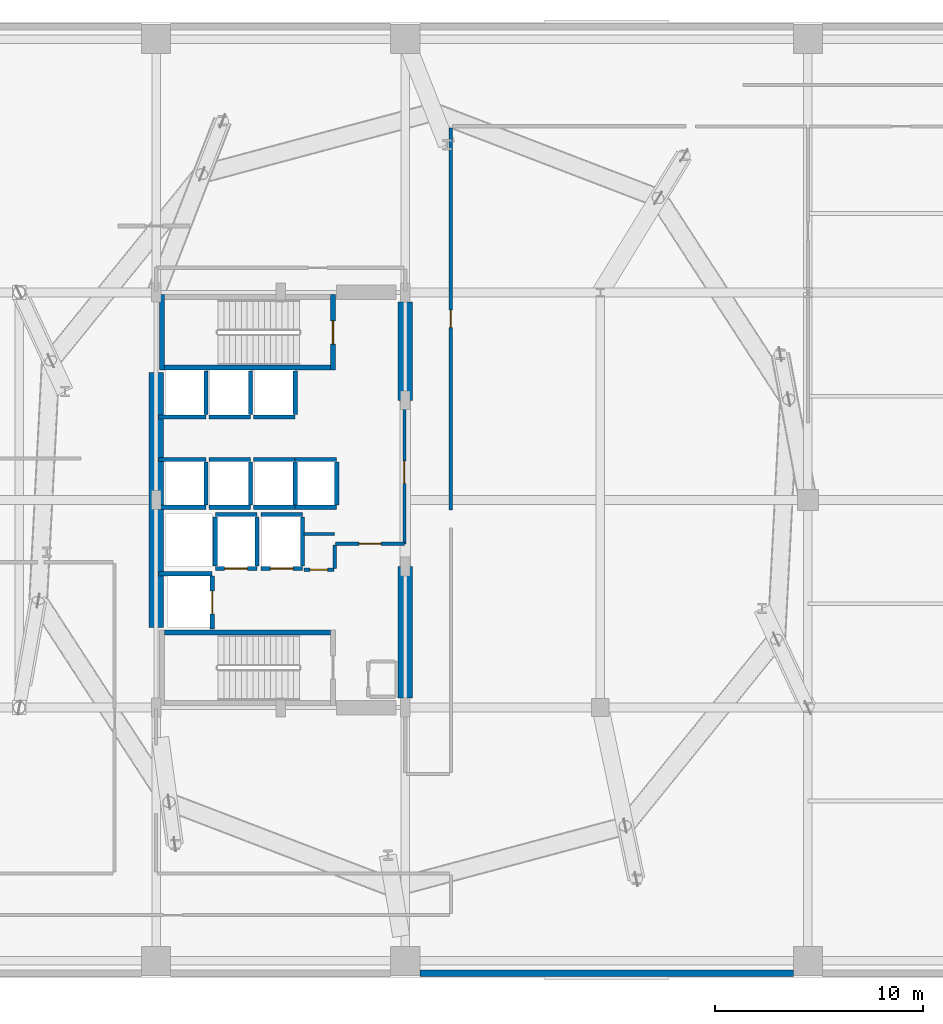
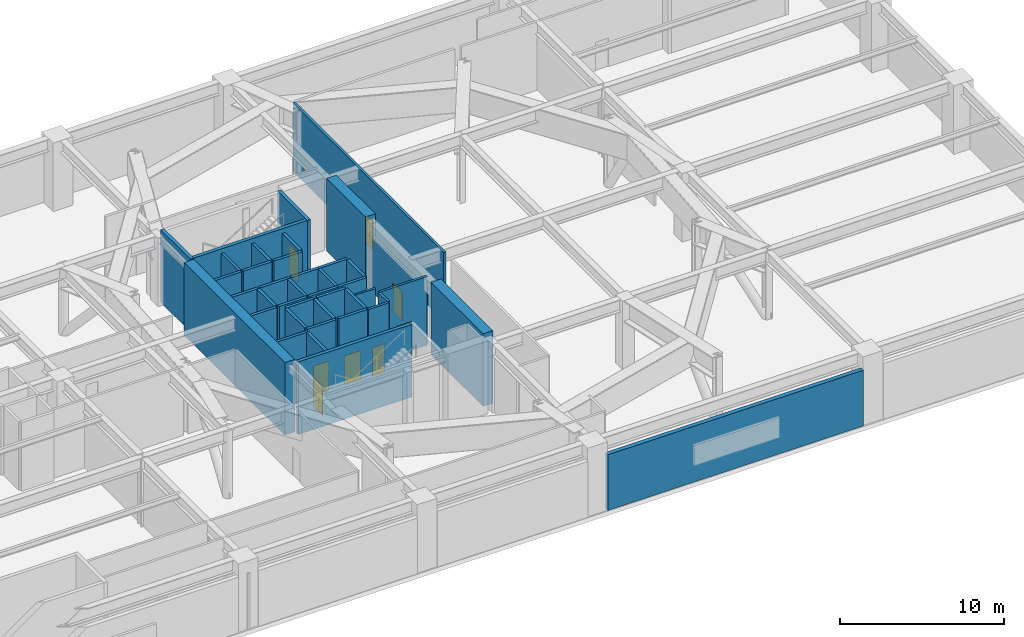
# One storey, part 7 of 12: 41 walls, 8 doors, 8 openings.
"""IFC4 building model written with IfcOpenShell, lengths in metres."""

from ifc_helpers import new_model, si_unit, direction, frame, frame_2d, origin, place, context, subcontext, project, spatial, rectangle, extrude, material, layer, layer_set, type_object, element, fill, save


model = new_model("IFC4")

# Units and contexts
model_context = context("Model", 3, precision=1e-05, world=origin(), true_north=direction((0.0, 1.0)))
body_context = subcontext(model_context, "Body", "Model", "MODEL_VIEW")
ifc_project = project(units=[si_unit("LENGTHUNIT", "METRE"), si_unit("AREAUNIT", "SQUARE_METRE"), si_unit("VOLUMEUNIT", "CUBIC_METRE"), si_unit("PLANEANGLEUNIT", "RADIAN"), si_unit("MASSUNIT", "GRAM", prefix="KILO")], contexts=[model_context])

# Site, building, storey
site_placement = place(None, origin())
site = spatial("IfcSite", under=ifc_project, at=site_placement, CompositionType="ELEMENT")
building_placement = place(site_placement, origin())
building = spatial("IfcBuilding", under=site, at=building_placement, Name="Soratama Intermodal Tower", CompositionType="ELEMENT")
storey_placement = place(building_placement, frame((0.0, 0.0, 25.199951171875)))
storey = spatial("IfcBuildingStorey", under=building, at=storey_placement, Name="L05", CompositionType="ELEMENT", Elevation=25.199951171875)

# Wall
ifc_material_1 = material(Name="Concrete f'c 42 MPa", Category="concrete")
ifc_layer_1 = layer(ifc_material_1, 0.300048828125)
ifc_layer_set_1 = layer_set([ifc_layer_1], Name="Concrete f'c 42 MPa")
wall_type_1 = type_object("IfcWallType", Name="EW-STONE-300", PredefinedType="SOLIDWALL", material=ifc_layer_set_1)
wall_1_placement = place(storey_placement, frame((63.300048828125, 2.199951171875, 0.0), z_axis=(0.0, 0.0, 1.0), x_axis=(-1.0, 0.0, 0.0)))
element("IfcWall", 1, at=wall_1_placement, inside=storey, type_object=wall_type_1, Name="L05 Transfer Plant Wall S4", PredefinedType="SOLIDWALL", context=body_context, shape_type="SweptSolid", body=[
    extrude(rectangle(XDim=18.0, YDim=0.300048828125, at=frame_2d((9.0, 0.0))), origin(), (0.0, 0.0, 1.0), 4.156005859375),
])

# Wall, opening, door
ifc_material_2 = material(Name="Fire-rated gypsum stud partition", Category="concrete")
ifc_layer_2 = layer(ifc_material_2, 0.14990234375)
ifc_layer_set_2 = layer_set([ifc_layer_2], Name="Fire-rated gypsum stud partition")
wall_type_2 = type_object("IfcWallType", Name="IW-PART-R150", PredefinedType="PARTITIONING", material=ifc_layer_set_2)
wall_2_placement = place(storey_placement, frame((44.56005859375, 29.800048828125, 0.0), z_axis=(0.0, 0.0, 1.0), x_axis=(0.0, -1.0, 0.0)))
wall_2 = element("IfcWall", 2, at=wall_2_placement, inside=storey, type_object=wall_type_2, Name="L05 Partition W-L05-TP010", PredefinedType="PARTITIONING", context=body_context, shape_type="SweptSolid", body=[
    extrude(rectangle(XDim=6.91015625, YDim=0.14990234375, at=frame_2d((3.455078125, 0.0))), origin(), (0.0, 0.0, 1.0), 4.14013671875),
])
opening_1_placement = place(wall_2_placement, frame((2.9150390625, 0.0, 0.0)))
opening_1 = element("IfcOpeningElement", 3, at=opening_1_placement, cuts=wall_2, Name="Opening ID-1", PredefinedType="OPENING", context=body_context, shape_type="SweptSolid", body=[
    extrude(rectangle(XDim=1.080078125, YDim=2.14990234375, at=frame_2d((0.5400390625, 1.074951171875))), frame((0.0, 0.0849609375, 0.0), z_axis=(0.0, -1.0, 0.0), x_axis=(1.0, 0.0, 0.0)), (0.0, 0.0, 1.0), 0.169921875),
])
ifc_material_3 = material(Name="Solid hardwood acoustic door", Category="wood")
door_type_1 = type_object("IfcDoorType", Name="DR-LOB-FD60", OperationType="NOTDEFINED", PredefinedType="DOOR", material=ifc_material_3)
door_1_placement = place(opening_1_placement, origin())
door_1 = element("IfcDoor", 4, at=door_1_placement, inside=storey, type_object=door_type_1, Name="L05 Door D-L05-TP006", OperationType="SINGLE_SWING_LEFT", OverallHeight=2.14990234375, OverallWidth=1.080078125, PredefinedType="DOOR", context=body_context, shape_type="SweptSolid", body=[
    extrude(rectangle(XDim=1.080078125, YDim=2.14990234375, at=frame_2d((0.5400390625, 1.074951171875))), frame((0.0, 0.02490234375, 0.0), z_axis=(0.0, -1.0, 0.0), x_axis=(1.0, 0.0, 0.0)), (0.0, 0.0, 1.0), 0.050048828125),
])
fill(opening_1, door_1)

# Wall
wall_3_placement = place(storey_placement, frame((41.199951171875, 23.360107421875, 0.0), z_axis=(0.0, 0.0, 1.0), x_axis=(-1.0, 0.0, 0.0)))
element("IfcWall", 5, at=wall_3_placement, inside=storey, type_object=wall_type_2, Name="L05 Partition W-L05-TP035", PredefinedType="PARTITIONING", context=body_context, shape_type="SweptSolid", body=[
    extrude(rectangle(XDim=1.47998046875, YDim=0.14990234375, at=frame_2d((0.739990234375, 0.0))), origin(), (0.0, 0.0, 1.0), 5.10009765625),
])

# Wall, opening, door
ifc_material_4 = material(Name="Fire-rated gypsum stud partition", Category="concrete")
ifc_layer_3 = layer(ifc_material_4, 0.169921875)
ifc_layer_set_3 = layer_set([ifc_layer_3], Name="Fire-rated gypsum stud partition")
wall_type_3 = type_object("IfcWallType", Name="IW-PART-R170", PredefinedType="PARTITIONING", material=ifc_layer_set_3)
wall_4_placement = place(storey_placement, frame((41.239990234375, 22.889892578125, 0.0), z_axis=(0.0, 0.0, 1.0), x_axis=(1.0, 0.0, 0.0)))
wall_4 = element("IfcWall", 6, at=wall_4_placement, inside=storey, type_object=wall_type_3, Name="L05 Partition W-L05-TP011", PredefinedType="PARTITIONING", context=body_context, shape_type="SweptSolid", body=[
    extrude(rectangle(XDim=3.320068359375, YDim=0.169921875, at=frame_2d((1.66015625, 0.0))), origin(), (0.0, 0.0, 1.0), 5.10009765625),
])
opening_2_placement = place(wall_4_placement, frame((1.1201171875, 0.0, 0.0)))
opening_2 = element("IfcOpeningElement", 7, at=opening_2_placement, cuts=wall_4, Name="Opening ID-0", PredefinedType="OPENING", context=body_context, shape_type="SweptSolid", body=[
    extrude(rectangle(XDim=1.080078125, YDim=2.14990234375, at=frame_2d((0.5400390625, 1.074951171875))), frame((0.0, 0.094970703125, 0.0), z_axis=(0.0, -1.0, 0.0), x_axis=(1.0, 0.0, 0.0)), (0.0, 0.0, 1.0), 0.18994140625),
])
ifc_material_5 = material(Name="Solid hardwood acoustic door", Category="wood")
door_type_2 = type_object("IfcDoorType", Name="DR-LOB-FD90", OperationType="NOTDEFINED", PredefinedType="DOOR", material=ifc_material_5)
door_2_placement = place(opening_2_placement, origin())
door_2 = element("IfcDoor", 8, at=door_2_placement, inside=storey, type_object=door_type_2, Name="L05 Door D-L05-TP007", OperationType="SINGLE_SWING_RIGHT", OverallHeight=2.14990234375, OverallWidth=1.080078125, PredefinedType="DOOR", context=body_context, shape_type="SweptSolid", body=[
    extrude(rectangle(XDim=1.080078125, YDim=2.14990234375, at=frame_2d((0.5400390625, 1.074951171875))), frame((0.0, 0.02490234375, 0.0), z_axis=(0.0, -1.0, 0.0), x_axis=(1.0, 0.0, 0.0)), (0.0, 0.0, 1.0), 0.050048828125),
])
fill(opening_2, door_2)

wall_5_placement = place(storey_placement, frame((39.719970703125, 21.639892578125, 0.0), z_axis=(0.0, 0.0, 1.0), x_axis=(1.0, 0.0, 0.0)))
wall_5 = element("IfcWall", 9, at=wall_5_placement, inside=storey, type_object=wall_type_3, Name="L05 Partition W-L05-TP017", PredefinedType="PARTITIONING", context=body_context, shape_type="SweptSolid", body=[
    extrude(rectangle(XDim=1.43994140625, YDim=0.169921875, at=frame_2d((0.719970703125, 0.0))), origin(), (0.0, 0.0, 1.0), 5.10009765625),
])
opening_3_placement = place(wall_5_placement, frame((0.294921875, 0.0, 0.0)))
opening_3 = element("IfcOpeningElement", 10, at=opening_3_placement, cuts=wall_5, Name="Opening ID-4", PredefinedType="OPENING", context=body_context, shape_type="SweptSolid", body=[
    extrude(rectangle(XDim=0.85009765625, YDim=2.10009765625, at=frame_2d((0.425048828125, 1.050048828125))), frame((0.0, 0.094970703125, 0.0), z_axis=(0.0, -1.0, 0.0), x_axis=(1.0, 0.0, 0.0)), (0.0, 0.0, 1.0), 0.18994140625),
])
ifc_material_6 = material(Name="Solid hardwood acoustic door", Category="wood")
door_type_3 = type_object("IfcDoorType", Name="DR-BATH-850", OperationType="NOTDEFINED", PredefinedType="DOOR", material=ifc_material_6)
door_3_placement = place(opening_3_placement, origin())
door_3 = element("IfcDoor", 11, at=door_3_placement, inside=storey, type_object=door_type_3, Name="L05 Door D-L05-TP008", OperationType="SINGLE_SWING_LEFT", OverallHeight=2.10009765625, OverallWidth=0.85009765625, PredefinedType="DOOR", context=body_context, shape_type="SweptSolid", body=[
    extrude(rectangle(XDim=0.85009765625, YDim=2.10009765625, at=frame_2d((0.425048828125, 1.050048828125))), frame((0.0, 0.02490234375, 0.0), z_axis=(0.0, -1.0, 0.0), x_axis=(1.0, 0.0, 0.0)), (0.0, 0.0, 1.0), 0.050048828125),
])
fill(opening_3, door_3)

# Wall
wall_6_placement = place(storey_placement, frame((41.199951171875, 21.699951171875, 0.0), z_axis=(0.0, 0.0, 1.0), x_axis=(0.0, 1.0, 0.0)))
element("IfcWall", 12, at=wall_6_placement, inside=storey, type_object=wall_type_3, Name="L05 Partition W-L05-TP021", PredefinedType="PARTITIONING", context=body_context, shape_type="SweptSolid", body=[
    extrude(rectangle(XDim=1.1201171875, YDim=0.169921875, at=frame_2d((0.56005859375, 0.0))), origin(), (0.0, 0.0, 1.0), 5.10009765625),
])

# Wall, opening, door
wall_7_placement = place(storey_placement, frame((46.800048828125, 42.929931640625, 0.0), z_axis=(0.0, 0.0, 1.0), x_axis=(0.0, -1.0, 0.0)))
wall_7 = element("IfcWall", 13, at=wall_7_placement, inside=storey, type_object=wall_type_3, Name="L05 Partition W-L05-TP023", PredefinedType="PARTITIONING", context=body_context, shape_type="SweptSolid", body=[
    extrude(rectangle(XDim=18.406982421875, YDim=0.169921875, at=frame_2d((9.20361328125, 0.0))), origin(), (0.0, 0.0, 1.0), 5.10009765625),
])
opening_4_placement = place(wall_7_placement, frame((8.778076171875, 0.0, 0.0)))
opening_4 = element("IfcOpeningElement", 14, at=opening_4_placement, cuts=wall_7, Name="Opening ID-4", PredefinedType="OPENING", context=body_context, shape_type="SweptSolid", body=[
    extrude(rectangle(XDim=0.85009765625, YDim=2.10009765625, at=frame_2d((0.425048828125, 1.050048828125))), frame((0.0, 0.094970703125, 0.0), z_axis=(0.0, -1.0, 0.0), x_axis=(1.0, 0.0, 0.0)), (0.0, 0.0, 1.0), 0.18994140625),
])
door_4_placement = place(opening_4_placement, origin())
door_4 = element("IfcDoor", 15, at=door_4_placement, inside=storey, type_object=door_type_3, Name="L05 Door D-L05-TP012", OperationType="SINGLE_SWING_LEFT", OverallHeight=2.10009765625, OverallWidth=0.85009765625, PredefinedType="DOOR", context=body_context, shape_type="SweptSolid", body=[
    extrude(rectangle(XDim=0.85009765625, YDim=2.10009765625, at=frame_2d((0.425048828125, 1.050048828125))), frame((0.0, 0.02490234375, 0.0), z_axis=(0.0, -1.0, 0.0), x_axis=(1.0, 0.0, 0.0)), (0.0, 0.0, 1.0), 0.050048828125),
])
fill(opening_4, door_4)

ifc_material_7 = material(Name="Concrete f'c 42 MPa", Category="concrete")
ifc_layer_4 = layer(ifc_material_7, 0.199951171875)
ifc_layer_set_4 = layer_set([ifc_layer_4], Name="Concrete f'c 42 MPa")
wall_type_4 = type_object("IfcWallType", Name="IW-SHAFT-200", PredefinedType="SOLIDWALL", material=ifc_layer_set_4)
wall_8_placement = place(storey_placement, frame((35.449951171875, 21.699951171875, 0.0), z_axis=(0.0, 0.0, 1.0), x_axis=(1.0, 0.0, 0.0)))
wall_8 = element("IfcWall", 16, at=wall_8_placement, inside=storey, type_object=wall_type_4, Name="L05 FFL-1 Hoistway Wall S", PredefinedType="SOLIDWALL", context=body_context, shape_type="SweptSolid", body=[
    extrude(rectangle(XDim=2.0, YDim=0.199951171875, at=frame_2d((1.0, 0.0))), origin(), (0.0, 0.0, 1.0), 5.10009765625),
])
opening_5_placement = place(wall_8_placement, frame((0.449951171875, 0.0, 0.0)))
opening_5 = element("IfcOpeningElement", 17, at=opening_5_placement, cuts=wall_8, Name="Opening LD-1", PredefinedType="OPENING", context=body_context, shape_type="SweptSolid", body=[
    extrude(rectangle(XDim=1.10009765625, YDim=2.14990234375, at=frame_2d((0.550048828125, 1.074951171875))), frame((0.0, 0.10986328125, 0.0), z_axis=(0.0, -1.0, 0.0), x_axis=(1.0, 0.0, 0.0)), (0.0, 0.0, 1.0), 0.219970703125),
])
ifc_material_8 = material(Name="Steel fire door", Category="steel")
door_type_4 = type_object("IfcDoorType", Name="DR-LIFT-SLIDE", OperationType="NOTDEFINED", PredefinedType="DOOR", material=ifc_material_8)
door_5_placement = place(opening_5_placement, origin())
door_5 = element("IfcDoor", 18, at=door_5_placement, inside=storey, type_object=door_type_4, Name="L05 FFL-1 Sliding Landing Door", OperationType="SLIDING_TO_LEFT", OverallHeight=2.14990234375, OverallWidth=1.10009765625, PredefinedType="DOOR", context=body_context, shape_type="SweptSolid", body=[
    extrude(rectangle(XDim=1.10009765625, YDim=2.14990234375, at=frame_2d((0.550048828125, 1.074951171875))), frame((0.0, 0.02490234375, 0.0), z_axis=(0.0, -1.0, 0.0), x_axis=(1.0, 0.0, 0.0)), (0.0, 0.0, 1.0), 0.050048828125),
])
fill(opening_5, door_5)

# Walls
wall_9_placement = place(storey_placement, frame((35.449951171875, 24.300048828125, 0.0), z_axis=(0.0, 0.0, 1.0), x_axis=(1.0, 0.0, 0.0)))
element("IfcWall", 19, at=wall_9_placement, inside=storey, type_object=wall_type_4, Name="L05 FFL-1 Hoistway Wall N", PredefinedType="SOLIDWALL", context=body_context, shape_type="SweptSolid", body=[
    extrude(rectangle(XDim=2.0, YDim=0.199951171875, at=frame_2d((1.0, 0.0))), origin(), (0.0, 0.0, 1.0), 5.10009765625),
])
for number, where, z_axis, x_axis, name in (
    (20, (35.449951171875, 21.81005859375, 0.0), (0.0, 0.0, 1.0), (0.0, 1.0, 0.0), "L05 FFL-1 Hoistway Wall W"),
    (21, (37.449951171875, 21.81005859375, 0.0), (0.0, 0.0, 1.0), (0.0, 1.0, 0.0), "L05 FFL-1 Hoistway Wall E"),
):
    element("IfcWall", number, at=place(storey_placement, frame(where, z_axis=z_axis, x_axis=x_axis)), inside=storey, type_object=wall_type_4, Name=name, PredefinedType="SOLIDWALL", context=body_context, shape_type="SweptSolid", body=[
        extrude(rectangle(XDim=2.3798828125, YDim=0.199951171875, at=frame_2d((1.18994140625, 0.0))), origin(), (0.0, 0.0, 1.0), 5.10009765625),
    ])

# Wall, opening, door
wall_10_placement = place(storey_placement, frame((37.64990234375, 21.699951171875, 0.0), z_axis=(0.0, 0.0, 1.0), x_axis=(1.0, 0.0, 0.0)))
wall_10 = element("IfcWall", 22, at=wall_10_placement, inside=storey, type_object=wall_type_4, Name="L05 FFL-2 Hoistway Wall S", PredefinedType="SOLIDWALL", context=body_context, shape_type="SweptSolid", body=[
    extrude(rectangle(XDim=2.0, YDim=0.199951171875, at=frame_2d((1.0, 0.0))), origin(), (0.0, 0.0, 1.0), 5.10009765625),
])
opening_6_placement = place(wall_10_placement, frame((0.449951171875, 0.0, 0.0)))
opening_6 = element("IfcOpeningElement", 23, at=opening_6_placement, cuts=wall_10, Name="Opening LD-1", PredefinedType="OPENING", context=body_context, shape_type="SweptSolid", body=[
    extrude(rectangle(XDim=1.10009765625, YDim=2.14990234375, at=frame_2d((0.550048828125, 1.074951171875))), frame((0.0, 0.10986328125, 0.0), z_axis=(0.0, -1.0, 0.0), x_axis=(1.0, 0.0, 0.0)), (0.0, 0.0, 1.0), 0.219970703125),
])
door_6_placement = place(opening_6_placement, origin())
door_6 = element("IfcDoor", 24, at=door_6_placement, inside=storey, type_object=door_type_4, Name="L05 FFL-2 Sliding Landing Door", OperationType="SLIDING_TO_LEFT", OverallHeight=2.14990234375, OverallWidth=1.10009765625, PredefinedType="DOOR", context=body_context, shape_type="SweptSolid", body=[
    extrude(rectangle(XDim=1.10009765625, YDim=2.14990234375, at=frame_2d((0.550048828125, 1.074951171875))), frame((0.0, 0.02490234375, 0.0), z_axis=(0.0, -1.0, 0.0), x_axis=(1.0, 0.0, 0.0)), (0.0, 0.0, 1.0), 0.050048828125),
])
fill(opening_6, door_6)

# Walls
wall_11_placement = place(storey_placement, frame((37.64990234375, 24.300048828125, 0.0), z_axis=(0.0, 0.0, 1.0), x_axis=(1.0, 0.0, 0.0)))
element("IfcWall", 25, at=wall_11_placement, inside=storey, type_object=wall_type_4, Name="L05 FFL-2 Hoistway Wall N", PredefinedType="SOLIDWALL", context=body_context, shape_type="SweptSolid", body=[
    extrude(rectangle(XDim=2.0, YDim=0.199951171875, at=frame_2d((1.0, 0.0))), origin(), (0.0, 0.0, 1.0), 5.10009765625),
])
wall_12_placement = place(storey_placement, frame((39.64990234375, 21.81005859375, 0.0), z_axis=(0.0, 0.0, 1.0), x_axis=(0.0, 1.0, 0.0)))
element("IfcWall", 26, at=wall_12_placement, inside=storey, type_object=wall_type_4, Name="L05 FFL-2 Hoistway Wall E", PredefinedType="SOLIDWALL", context=body_context, shape_type="SweptSolid", body=[
    extrude(rectangle(XDim=2.3798828125, YDim=0.199951171875, at=frame_2d((1.18994140625, 0.0))), origin(), (0.0, 0.0, 1.0), 5.10009765625),
])
wall_13_placement = place(storey_placement, frame((32.719970703125, 21.449951171875, 0.0), z_axis=(0.0, 0.0, 1.0), x_axis=(1.0, 0.0, 0.0)))
element("IfcWall", 27, at=wall_13_placement, inside=storey, type_object=wall_type_4, Name="L05 SVL-1 Hoistway Wall N", PredefinedType="SOLIDWALL", context=body_context, shape_type="SweptSolid", body=[
    extrude(rectangle(XDim=2.580078125, YDim=0.199951171875, at=frame_2d((1.2900390625, 0.0))), origin(), (0.0, 0.0, 1.0), 5.10009765625),
])

# Wall, opening, door
wall_14_placement = place(storey_placement, frame((35.300048828125, 18.7900390625, 0.0), z_axis=(0.0, 0.0, 1.0), x_axis=(0.0, 1.0, 0.0)))
wall_14 = element("IfcWall", 28, at=wall_14_placement, inside=storey, type_object=wall_type_4, Name="L05 SVL-1 Hoistway Wall E", PredefinedType="SOLIDWALL", context=body_context, shape_type="SweptSolid", body=[
    extrude(rectangle(XDim=2.550048828125, YDim=0.199951171875, at=frame_2d((1.27490234375, 0.0))), origin(), (0.0, 0.0, 1.0), 5.10009765625),
])
opening_7_placement = place(wall_14_placement, frame((0.72509765625, 0.0, 0.0)))
opening_7 = element("IfcOpeningElement", 29, at=opening_7_placement, cuts=wall_14, Name="Opening LD-1", PredefinedType="OPENING", context=body_context, shape_type="SweptSolid", body=[
    extrude(rectangle(XDim=1.10009765625, YDim=2.14990234375, at=frame_2d((0.550048828125, 1.074951171875))), frame((0.0, 0.10986328125, 0.0), z_axis=(0.0, -1.0, 0.0), x_axis=(1.0, 0.0, 0.0)), (0.0, 0.0, 1.0), 0.219970703125),
])
door_7_placement = place(opening_7_placement, origin())
door_7 = element("IfcDoor", 30, at=door_7_placement, inside=storey, type_object=door_type_4, Name="L05 SVL-1 Sliding Landing Door", OperationType="SLIDING_TO_LEFT", OverallHeight=2.14990234375, OverallWidth=1.10009765625, PredefinedType="DOOR", context=body_context, shape_type="SweptSolid", body=[
    extrude(rectangle(XDim=1.10009765625, YDim=2.14990234375, at=frame_2d((0.550048828125, 1.074951171875))), frame((0.0, 0.02490234375, 0.0), z_axis=(0.0, -1.0, 0.0), x_axis=(1.0, 0.0, 0.0)), (0.0, 0.0, 1.0), 0.050048828125),
])
fill(opening_7, door_7)

# Walls
for number, where, z_axis, x_axis, name in (
    (31, (32.719970703125, 24.64990234375, 0.0), (0.0, 0.0, 1.0), (1.0, 0.0, 0.0), "L05 PL-L1 Hoistway Wall S"),
    (32, (32.719970703125, 26.949951171875, 0.0), (0.0, 0.0, 1.0), (1.0, 0.0, 0.0), "L05 PL-L1 Hoistway Wall N"),
):
    element("IfcWall", number, at=place(storey_placement, frame(where, z_axis=z_axis, x_axis=x_axis)), inside=storey, type_object=wall_type_4, Name=name, PredefinedType="SOLIDWALL", context=body_context, shape_type="SweptSolid", body=[
        extrude(rectangle(XDim=2.280029296875, YDim=0.199951171875, at=frame_2d((1.14013671875, 0.0))), origin(), (0.0, 0.0, 1.0), 5.10009765625),
    ])
wall_15_placement = place(storey_placement, frame((35.0, 24.760009765625, 0.0), z_axis=(0.0, 0.0, 1.0), x_axis=(0.0, 1.0, 0.0)))
element("IfcWall", 33, at=wall_15_placement, inside=storey, type_object=wall_type_4, Name="L05 PL-L1 Hoistway Wall E", PredefinedType="SOLIDWALL", context=body_context, shape_type="SweptSolid", body=[
    extrude(rectangle(XDim=2.080078125, YDim=0.199951171875, at=frame_2d((1.0400390625, 0.0))), origin(), (0.0, 0.0, 1.0), 5.10009765625),
])
for number, where, z_axis, x_axis, name in (
    (34, (35.14990234375, 24.64990234375, 0.0), (0.0, 0.0, 1.0), (1.0, 0.0, 0.0), "L05 PL-L2 Hoistway Wall S"),
    (35, (35.14990234375, 26.949951171875, 0.0), (0.0, 0.0, 1.0), (1.0, 0.0, 0.0), "L05 PL-L2 Hoistway Wall N"),
):
    element("IfcWall", number, at=place(storey_placement, frame(where, z_axis=z_axis, x_axis=x_axis)), inside=storey, type_object=wall_type_4, Name=name, PredefinedType="SOLIDWALL", context=body_context, shape_type="SweptSolid", body=[
        extrude(rectangle(XDim=2.0, YDim=0.199951171875, at=frame_2d((1.0, 0.0))), origin(), (0.0, 0.0, 1.0), 5.10009765625),
    ])
wall_16_placement = place(storey_placement, frame((37.14990234375, 24.760009765625, 0.0), z_axis=(0.0, 0.0, 1.0), x_axis=(0.0, 1.0, 0.0)))
element("IfcWall", 36, at=wall_16_placement, inside=storey, type_object=wall_type_4, Name="L05 PL-L2 Hoistway Wall E", PredefinedType="SOLIDWALL", context=body_context, shape_type="SweptSolid", body=[
    extrude(rectangle(XDim=2.080078125, YDim=0.199951171875, at=frame_2d((1.0400390625, 0.0))), origin(), (0.0, 0.0, 1.0), 5.10009765625),
])
for number, where, z_axis, x_axis, name in (
    (37, (37.300048828125, 24.64990234375, 0.0), (0.0, 0.0, 1.0), (1.0, 0.0, 0.0), "L05 PL-L3 Hoistway Wall S"),
    (38, (37.300048828125, 26.949951171875, 0.0), (0.0, 0.0, 1.0), (1.0, 0.0, 0.0), "L05 PL-L3 Hoistway Wall N"),
):
    element("IfcWall", number, at=place(storey_placement, frame(where, z_axis=z_axis, x_axis=x_axis)), inside=storey, type_object=wall_type_4, Name=name, PredefinedType="SOLIDWALL", context=body_context, shape_type="SweptSolid", body=[
        extrude(rectangle(XDim=2.0, YDim=0.199951171875, at=frame_2d((1.0, 0.0))), origin(), (0.0, 0.0, 1.0), 5.10009765625),
    ])
wall_17_placement = place(storey_placement, frame((39.300048828125, 24.760009765625, 0.0), z_axis=(0.0, 0.0, 1.0), x_axis=(0.0, 1.0, 0.0)))
element("IfcWall", 39, at=wall_17_placement, inside=storey, type_object=wall_type_4, Name="L05 PL-L3 Hoistway Wall E", PredefinedType="SOLIDWALL", context=body_context, shape_type="SweptSolid", body=[
    extrude(rectangle(XDim=2.080078125, YDim=0.199951171875, at=frame_2d((1.0400390625, 0.0))), origin(), (0.0, 0.0, 1.0), 5.10009765625),
])
for number, where, z_axis, x_axis, name in (
    (40, (39.300048828125, 24.64990234375, 0.0), (0.0, 0.0, 1.0), (1.0, 0.0, 0.0), "L05 PL-M1 Hoistway Wall S"),
    (41, (39.300048828125, 26.949951171875, 0.0), (0.0, 0.0, 1.0), (1.0, 0.0, 0.0), "L05 PL-M1 Hoistway Wall N"),
):
    element("IfcWall", number, at=place(storey_placement, frame(where, z_axis=z_axis, x_axis=x_axis)), inside=storey, type_object=wall_type_4, Name=name, PredefinedType="SOLIDWALL", context=body_context, shape_type="SweptSolid", body=[
        extrude(rectangle(XDim=2.0, YDim=0.199951171875, at=frame_2d((1.0, 0.0))), origin(), (0.0, 0.0, 1.0), 5.10009765625),
    ])
wall_18_placement = place(storey_placement, frame((41.300048828125, 24.760009765625, 0.0), z_axis=(0.0, 0.0, 1.0), x_axis=(0.0, 1.0, 0.0)))
element("IfcWall", 42, at=wall_18_placement, inside=storey, type_object=wall_type_4, Name="L05 PL-M1 Hoistway Wall E", PredefinedType="SOLIDWALL", context=body_context, shape_type="SweptSolid", body=[
    extrude(rectangle(XDim=2.080078125, YDim=0.199951171875, at=frame_2d((1.0400390625, 0.0))), origin(), (0.0, 0.0, 1.0), 5.10009765625),
])
wall_19_placement = place(storey_placement, frame((32.719970703125, 29.0, 0.0), z_axis=(0.0, 0.0, 1.0), x_axis=(1.0, 0.0, 0.0)))
element("IfcWall", 43, at=wall_19_placement, inside=storey, type_object=wall_type_4, Name="L05 PL-M2 Hoistway Wall S", PredefinedType="SOLIDWALL", context=body_context, shape_type="SweptSolid", body=[
    extrude(rectangle(XDim=2.280029296875, YDim=0.199951171875, at=frame_2d((1.14013671875, 0.0))), origin(), (0.0, 0.0, 1.0), 5.10009765625),
])
wall_20_placement = place(storey_placement, frame((35.0, 29.110107421875, 0.0), z_axis=(0.0, 0.0, 1.0), x_axis=(0.0, 1.0, 0.0)))
element("IfcWall", 44, at=wall_20_placement, inside=storey, type_object=wall_type_4, Name="L05 PL-M2 Hoistway Wall E", PredefinedType="SOLIDWALL", context=body_context, shape_type="SweptSolid", body=[
    extrude(rectangle(XDim=2.099853515625, YDim=0.199951171875, at=frame_2d((1.0498046875, 0.0))), origin(), (0.0, 0.0, 1.0), 5.10009765625),
])
wall_21_placement = place(storey_placement, frame((35.14990234375, 29.0, 0.0), z_axis=(0.0, 0.0, 1.0), x_axis=(1.0, 0.0, 0.0)))
element("IfcWall", 45, at=wall_21_placement, inside=storey, type_object=wall_type_4, Name="L05 PL-H1 Hoistway Wall S", PredefinedType="SOLIDWALL", context=body_context, shape_type="SweptSolid", body=[
    extrude(rectangle(XDim=2.0, YDim=0.199951171875, at=frame_2d((1.0, 0.0))), origin(), (0.0, 0.0, 1.0), 5.10009765625),
])
wall_22_placement = place(storey_placement, frame((37.14990234375, 29.110107421875, 0.0), z_axis=(0.0, 0.0, 1.0), x_axis=(0.0, 1.0, 0.0)))
element("IfcWall", 46, at=wall_22_placement, inside=storey, type_object=wall_type_4, Name="L05 PL-H1 Hoistway Wall E", PredefinedType="SOLIDWALL", context=body_context, shape_type="SweptSolid", body=[
    extrude(rectangle(XDim=2.099853515625, YDim=0.199951171875, at=frame_2d((1.0498046875, 0.0))), origin(), (0.0, 0.0, 1.0), 5.10009765625),
])
wall_23_placement = place(storey_placement, frame((37.300048828125, 29.0, 0.0), z_axis=(0.0, 0.0, 1.0), x_axis=(1.0, 0.0, 0.0)))
element("IfcWall", 47, at=wall_23_placement, inside=storey, type_object=wall_type_4, Name="L05 PL-H2 Hoistway Wall S", PredefinedType="SOLIDWALL", context=body_context, shape_type="SweptSolid", body=[
    extrude(rectangle(XDim=2.0, YDim=0.199951171875, at=frame_2d((1.0, 0.0))), origin(), (0.0, 0.0, 1.0), 5.10009765625),
])
wall_24_placement = place(storey_placement, frame((39.300048828125, 29.110107421875, 0.0), z_axis=(0.0, 0.0, 1.0), x_axis=(0.0, 1.0, 0.0)))
element("IfcWall", 48, at=wall_24_placement, inside=storey, type_object=wall_type_4, Name="L05 PL-H2 Hoistway Wall E", PredefinedType="SOLIDWALL", context=body_context, shape_type="SweptSolid", body=[
    extrude(rectangle(XDim=2.099853515625, YDim=0.199951171875, at=frame_2d((1.0498046875, 0.0))), origin(), (0.0, 0.0, 1.0), 5.10009765625),
])
ifc_material_9 = material(Name="Concrete f'c 56 MPa", Category="concrete")
ifc_layer_5 = layer(ifc_material_9, 0.699951171875)
ifc_layer_set_5 = layer_set([ifc_layer_5], Name="Concrete f'c 56 MPa")
wall_type_5 = type_object("IfcWallType", Name="SW-CORE-700", PredefinedType="SHEAR", material=ifc_layer_set_5)
wall_25_placement = place(storey_placement, frame((32.60009765625, 18.85009765625, 0.0), z_axis=(0.0, 0.0, 1.0), x_axis=(0.0, 1.0, 0.0)))
element("IfcWall", 49, at=wall_25_placement, inside=storey, type_object=wall_type_5, Name="L05 Core Shear Wall CW-WMID", PredefinedType="SHEAR", context=body_context, shape_type="SweptSolid", body=[
    extrude(rectangle(XDim=12.2998046875, YDim=0.699951171875, at=frame_2d((6.14990234375, 0.0))), origin(), (0.0, 0.0, 1.0), 5.400146484375),
])
wall_26_placement = place(storey_placement, frame((44.60009765625, 15.449951171875, 0.0), z_axis=(0.0, 0.0, 1.0), x_axis=(0.0, 1.0, 0.0)))
element("IfcWall", 50, at=wall_26_placement, inside=storey, type_object=wall_type_5, Name="L05 Core Shear Wall CW-ES", PredefinedType="SHEAR", context=body_context, shape_type="SweptSolid", body=[
    extrude(rectangle(XDim=6.35009765625, YDim=0.699951171875, at=frame_2d((3.175048828125, 0.0))), origin(), (0.0, 0.0, 1.0), 5.400146484375),
])
wall_27_placement = place(storey_placement, frame((44.60009765625, 29.800048828125, 0.0), z_axis=(0.0, 0.0, 1.0), x_axis=(0.0, 1.0, 0.0)))
element("IfcWall", 51, at=wall_27_placement, inside=storey, type_object=wall_type_5, Name="L05 Core Shear Wall CW-EN", PredefinedType="SHEAR", context=body_context, shape_type="SweptSolid", body=[
    extrude(rectangle(XDim=4.75, YDim=0.699951171875, at=frame_2d((2.375, 0.0))), origin(), (0.0, 0.0, 1.0), 5.400146484375),
])
ifc_material_10 = material(Name="Concrete f'c 56 MPa", Category="concrete")
ifc_layer_6 = layer(ifc_material_10, 0.239990234375)
ifc_layer_set_6 = layer_set([ifc_layer_6], Name="Concrete f'c 56 MPa")
wall_type_6 = type_object("IfcWallType", Name="SW-STAIR-240", PredefinedType="SHEAR", material=ifc_layer_set_6)
wall_28_placement = place(storey_placement, frame((33.0, 18.6201171875, 0.0), z_axis=(0.0, 0.0, 1.0), x_axis=(1.0, 0.0, 0.0)))
element("IfcWall", 52, at=wall_28_placement, inside=storey, type_object=wall_type_6, Name="L05 ST-1 Shaft Shear Wall N", PredefinedType="SHEAR", context=body_context, shape_type="SweptSolid", body=[
    extrude(rectangle(XDim=8.0, YDim=0.239990234375, at=frame_2d((4.0, 0.0))), origin(), (0.0, 0.0, 1.0), 5.400146484375),
])
wall_29_placement = place(storey_placement, frame((32.8798828125, 31.260009765625, 0.0), z_axis=(0.0, 0.0, 1.0), x_axis=(0.0, 1.0, 0.0)))
element("IfcWall", 53, at=wall_29_placement, inside=storey, type_object=wall_type_6, Name="L05 ST-2 Shaft Shear Wall W", PredefinedType="SHEAR", context=body_context, shape_type="SweptSolid", body=[
    extrude(rectangle(XDim=3.6298828125, YDim=0.239990234375, at=frame_2d((1.81494140625, 0.0))), origin(), (0.0, 0.0, 1.0), 5.400146484375),
])

# Wall, opening, door
wall_30_placement = place(storey_placement, frame((41.1201171875, 31.260009765625, 0.0), z_axis=(0.0, 0.0, 1.0), x_axis=(0.0, 1.0, 0.0)))
wall_30 = element("IfcWall", 54, at=wall_30_placement, inside=storey, type_object=wall_type_6, Name="L05 ST-2 Shaft Shear Wall E", PredefinedType="SHEAR", context=body_context, shape_type="SweptSolid", body=[
    extrude(rectangle(XDim=3.6298828125, YDim=0.239990234375, at=frame_2d((1.81494140625, 0.0))), origin(), (0.0, 0.0, 1.0), 5.400146484375),
])
opening_8_placement = place(wall_30_placement, frame((1.2548828125, 0.0, 0.0)))
opening_8 = element("IfcOpeningElement", 55, at=opening_8_placement, cuts=wall_30, Name="Opening SD-1", PredefinedType="OPENING", context=body_context, shape_type="SweptSolid", body=[
    extrude(rectangle(XDim=1.1201171875, YDim=2.14990234375, at=frame_2d((0.56005859375, 1.074951171875))), frame((0.0, 0.1298828125, 0.0), z_axis=(0.0, -1.0, 0.0), x_axis=(1.0, 0.0, 0.0)), (0.0, 0.0, 1.0), 0.260009765625),
])
ifc_material_11 = material(Name="Steel fire door", Category="steel")
door_type_5 = type_object("IfcDoorType", Name="DR-STAIR-FD90", OperationType="NOTDEFINED", PredefinedType="DOOR", material=ifc_material_11)
door_8_placement = place(opening_8_placement, origin())
door_8 = element("IfcDoor", 56, at=door_8_placement, inside=storey, type_object=door_type_5, Name="L05 ST-2 Exit Stair Door", OperationType="SINGLE_SWING_RIGHT", OverallHeight=2.14990234375, OverallWidth=1.1201171875, PredefinedType="DOOR", context=body_context, shape_type="SweptSolid", body=[
    extrude(rectangle(XDim=1.1201171875, YDim=2.14990234375, at=frame_2d((0.56005859375, 1.074951171875))), frame((0.0, 0.02490234375, 0.0), z_axis=(0.0, -1.0, 0.0), x_axis=(1.0, 0.0, 0.0)), (0.0, 0.0, 1.0), 0.050048828125),
])
fill(opening_8, door_8)

# Wall
wall_31_placement = place(storey_placement, frame((33.0, 31.3798828125, 0.0), z_axis=(0.0, 0.0, 1.0), x_axis=(1.0, 0.0, 0.0)))
element("IfcWall", 57, at=wall_31_placement, inside=storey, type_object=wall_type_6, Name="L05 ST-2 Shaft Shear Wall S", PredefinedType="SHEAR", context=body_context, shape_type="SweptSolid", body=[
    extrude(rectangle(XDim=8.0, YDim=0.239990234375, at=frame_2d((4.0, 0.0))), origin(), (0.0, 0.0, 1.0), 5.400146484375),
])

save(model, "model.ifc")
